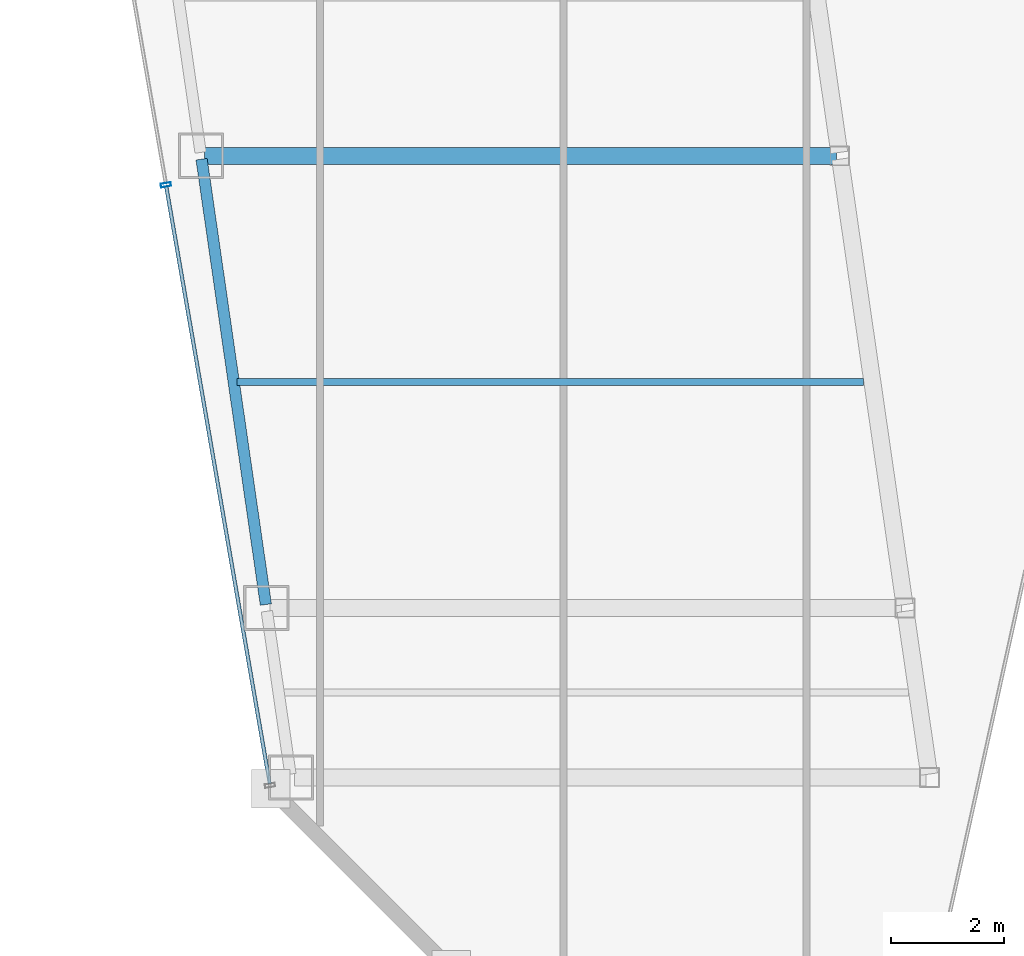
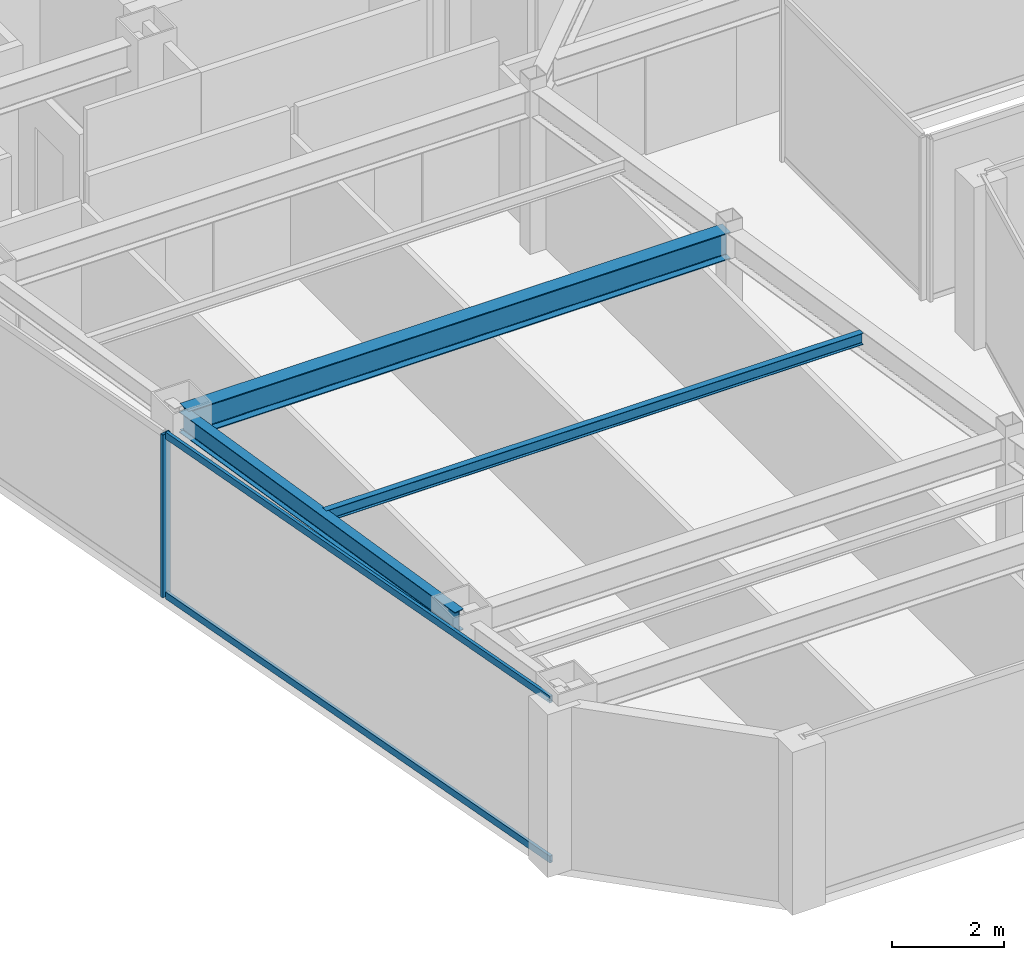
# One storey, part 4 of 33: 3 beams, 3 members, 1 element without a shape of its own.
"""IFC4 building model written with IfcOpenShell, lengths in metres."""

from ifc_helpers import new_model, si_unit, direction, frame, origin, origin_2d, place, context, subcontext, project, spatial, hollow_rectangle, i_section, extrude, material, material_profile, profile_set, type_object, element, aggregate, save


model = new_model("IFC4")

# Units and contexts
model_context = context("Model", 3, precision=1e-05, world=origin(), true_north=direction((0.0, 1.0)))
body_context = subcontext(model_context, "Body", "Model", "MODEL_VIEW")
ifc_project = project(units=[si_unit("LENGTHUNIT", "METRE"), si_unit("AREAUNIT", "SQUARE_METRE"), si_unit("VOLUMEUNIT", "CUBIC_METRE"), si_unit("PLANEANGLEUNIT", "RADIAN"), si_unit("MASSUNIT", "GRAM", prefix="KILO")], contexts=[model_context])

# Site, building, storey
site_placement = place(None, origin())
site = spatial("IfcSite", under=ifc_project, at=site_placement, CompositionType="ELEMENT")
building_placement = place(site_placement, origin())
building = spatial("IfcBuilding", under=site, at=building_placement, Name="Saevonmaru Cultural Tower", CompositionType="ELEMENT")
storey_placement = place(building_placement, frame((0.0, 0.0, 238.199951171875)))
storey = spatial("IfcBuildingStorey", under=building, at=storey_placement, Name="L55", CompositionType="ELEMENT", Elevation=238.199951171875)

# Beams
ifc_material_1 = material(Name="Steel SM355", Category="steel")
ifc_material_profile_1 = material_profile(ifc_material_1, i_section(OverallWidth=0.300048828125, OverallDepth=0.587890625, WebThickness=0.011962890625, FlangeThickness=0.02001953125, FilletRadius=0.02392578125, at=origin_2d()), Name="H-588x300x12x20")
ifc_profile_set_1 = profile_set([ifc_material_profile_1], Name="Steel SM355")
beam_type_1 = type_object("IfcBeamType", Name="BM-G-H588", PredefinedType="BEAM", material=ifc_profile_set_1)
beam_1_placement = place(storey_placement, frame((8.376953125, 32.0, 3.256103515625), z_axis=(1.0, 0.0, 0.0), x_axis=(0.0, 1.0, 0.0)))
element("IfcBeam", 1, at=beam_1_placement, inside=storey, type_object=beam_type_1, Name="L55 West Wing Transverse Girder 3", PredefinedType="BEAM", context=body_context, shape_type="SweptSolid", body=[
    extrude(i_section(OverallWidth=0.300048828125, OverallDepth=0.587890625, WebThickness=0.011962890625, FlangeThickness=0.02001953125, FilletRadius=0.02392578125, at=origin_2d()), origin(), (0.0, 0.0, 1.0), 11.179931640625),
])
ifc_material_profile_2 = material_profile(ifc_material_1, i_section(OverallWidth=0.125, OverallDepth=0.25, WebThickness=0.006103515625, FlangeThickness=0.009033203125, FilletRadius=0.008056640625, at=origin_2d()), Name="H-250x125x6x9")
ifc_profile_set_2 = profile_set([ifc_material_profile_2], Name="Steel SM355")
beam_type_2 = type_object("IfcBeamType", Name="BM-J-H250", PredefinedType="JOIST", material=ifc_profile_set_2)
beam_2_placement = place(storey_placement, frame((8.95458984375, 28.0, 3.425048828125), z_axis=(1.0, 0.0, 0.0), x_axis=(0.0, 1.0, 0.0)))
element("IfcBeam", 2, at=beam_2_placement, inside=storey, type_object=beam_type_2, Name="L55 West Wing Floor Joist 2", PredefinedType="JOIST", context=body_context, shape_type="SweptSolid", body=[
    extrude(i_section(OverallWidth=0.125, OverallDepth=0.25, WebThickness=0.006103515625, FlangeThickness=0.009033203125, FilletRadius=0.008056640625, at=origin_2d()), origin(), (0.0, 0.0, 1.0), 11.08203125),
])
ifc_material_profile_3 = material_profile(ifc_material_1, i_section(OverallWidth=0.199951171875, OverallDepth=0.449951171875, WebThickness=0.009033203125, FlangeThickness=0.013916015625, FilletRadius=0.01806640625, at=origin_2d()), Name="H-450x200x9x14")
ifc_profile_set_3 = profile_set([ifc_material_profile_3], Name="Steel SM355")
beam_type_3 = type_object("IfcBeamType", Name="BM-SP-H450", PredefinedType="SPANDREL", material=ifc_profile_set_3)
beam_3_placement = place(storey_placement, frame((9.46337890625, 24.059326171875, 3.324951171875), z_axis=(-0.142871999001, 0.989741174197, 0.0), x_axis=(-0.989741174197, -0.142871999001, 0.0)))
element("IfcBeam", 3, at=beam_3_placement, inside=storey, type_object=beam_type_3, Name="L55 West Splayed Spandrel 2", PredefinedType="SPANDREL", context=body_context, shape_type="SweptSolid", body=[
    extrude(i_section(OverallWidth=0.199951171875, OverallDepth=0.449951171875, WebThickness=0.009033203125, FlangeThickness=0.013916015625, FilletRadius=0.01806640625, at=origin_2d()), origin(), (0.0, 0.0, 1.0), 7.963134765625),
])

# Curtain wall, members
ifc_material_2 = material(Name="Satin Bronze Anodised Aluminium", Category="aluminium")
curtain_wall_type = type_object("IfcCurtainWallType", Name="CW-TYP-B", PredefinedType="NOTDEFINED", material=ifc_material_2)
curtain_wall_placement = place(storey_placement, origin())
curtain_wall = element("IfcCurtainWall", 4, at=curtain_wall_placement, inside=storey, type_object=curtain_wall_type, Name="L55 Unitised Curtain Wall E12", PredefinedType="NOTDEFINED")
ifc_material_profile_4 = material_profile(ifc_material_2, hollow_rectangle(XDim=0.06494140625, YDim=0.179931640625, WallThickness=0.00390625, at=origin_2d()), Name="ALU-MULL-180x65x4")
ifc_profile_set_4 = profile_set([ifc_material_profile_4], Name="Satin Bronze Anodised Aluminium")
member_type_1 = type_object("IfcMemberType", Name="ML-CW-180x65", PredefinedType="MULLION", material=ifc_profile_set_4)
member_1_placement = place(storey_placement, frame((7.6943359375, 31.486328125, 0.0), z_axis=(0.0, 0.0, 1.0), x_axis=(0.170790369887, -0.985307388359, 0.0)))
member_1 = element("IfcMember", 5, at=member_1_placement, type_object=member_type_1, Name="CW-TW-L55-E12 mullion 3", PredefinedType="MULLION", context=body_context, shape_type="SweptSolid", body=[
    extrude(hollow_rectangle(XDim=0.06494140625, YDim=0.179931640625, WallThickness=0.00390625, at=origin_2d()), origin(), (0.0, 0.0, 1.0), 3.550048828125),
])
ifc_material_profile_5 = material_profile(ifc_material_2, hollow_rectangle(XDim=0.06494140625, YDim=0.14990234375, WallThickness=0.00390625, at=origin_2d()), Name="ALU-TRAN-150x65x4")
ifc_profile_set_5 = profile_set([ifc_material_profile_5], Name="Satin Bronze Anodised Aluminium")
member_type_2 = type_object("IfcMemberType", Name="TR-CW-150x65", PredefinedType="USERDEFINED", material=ifc_profile_set_5)
member_2_placement = place(storey_placement, frame((7.699951171875, 31.454345703125, 0.032470703125), z_axis=(0.170795272137, -0.985306538604, 0.0), x_axis=(0.985306538604, 0.170795272137, 0.0)))
member_2 = element("IfcMember", 6, at=member_2_placement, type_object=member_type_2, Name="CW-TW-L55-E12 transom 3.1", ObjectType="TRANSOM", PredefinedType="USERDEFINED", context=body_context, shape_type="SweptSolid", body=[
    extrude(hollow_rectangle(XDim=0.06494140625, YDim=0.14990234375, WallThickness=0.00390625, at=origin_2d()), origin(), (0.0, 0.0, 1.0), 10.720703125),
])
member_3_placement = place(storey_placement, frame((7.699951171875, 31.454345703125, 3.517578125), z_axis=(0.170795272137, -0.985306538604, 0.0), x_axis=(0.985306538604, 0.170795272137, 0.0)))
member_3 = element("IfcMember", 7, at=member_3_placement, type_object=member_type_2, Name="CW-TW-L55-E12 transom 3.2", ObjectType="TRANSOM", PredefinedType="USERDEFINED", context=body_context, shape_type="SweptSolid", body=[
    extrude(hollow_rectangle(XDim=0.06494140625, YDim=0.14990234375, WallThickness=0.00390625, at=origin_2d()), origin(), (0.0, 0.0, 1.0), 10.720703125),
])
aggregate(curtain_wall, [member_1, member_2, member_3])

save(model, "model.ifc")
